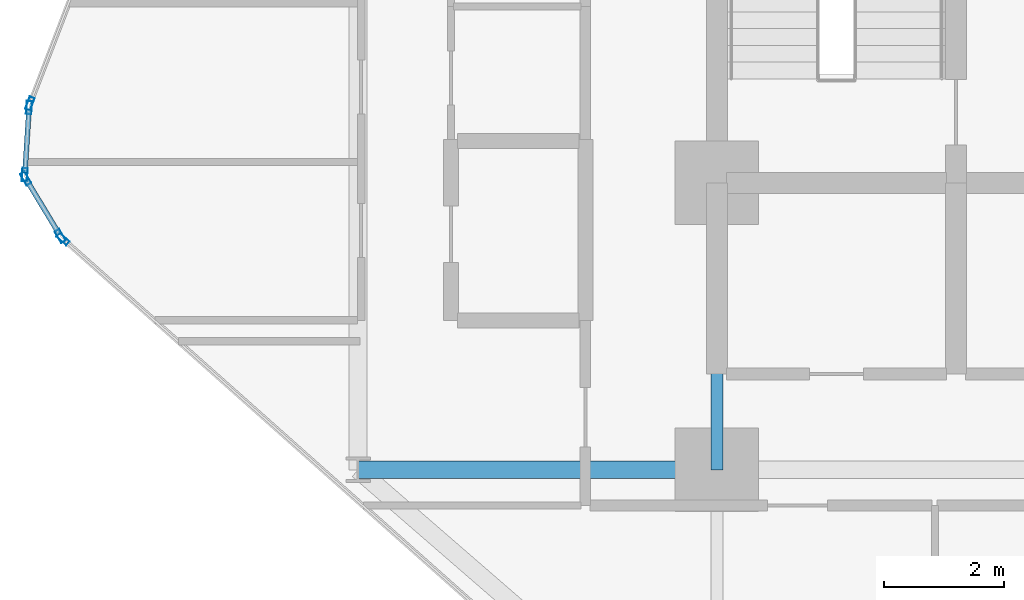
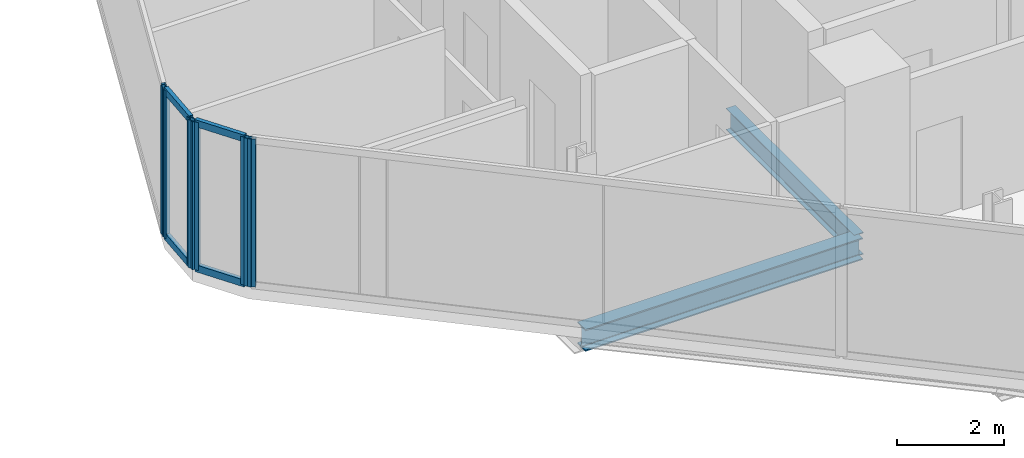
# One storey, part 5 of 33: 10 members, 2 beams, 4 elements without a shape of their own.
"""IFC4 building model written with IfcOpenShell, lengths in metres."""

import ifcopenshell
import ifcopenshell.guid

model = None  # the IFC model being written
_history = None  # IfcOwnerHistory: only IFC2X3 demands one
_inside = {}  # id of a spatial element -> (the spatial element, [elements in it])
_under = {}  # id of a project, library or spatial element -> (it, [spatial elements below it])
_declared = {}  # id of a project -> (the project, [libraries it declares])
_typed = {}  # id of a type object -> (the type object, [elements of that type])
_made_of = {}  # id of a material, layer set ... -> (it, [elements and type objects made of it])


def new_model(schema):
    """Start an empty IFC model of exactly this schema.

    Asked for "IFC4X3", IfcOpenShell would pick the latest addendum, in which some entities
    have other attributes; the version numbers below select the first issue.
    IFC2X3 requires an IfcOwnerHistory on every rooted entity: one is made here for all.
    """
    global model, _history
    if schema == "IFC4X3":
        model = ifcopenshell.file(schema_version=(4, 3, 0, 0))
    else:
        model = ifcopenshell.file(schema=schema)
    _inside.clear()
    _under.clear()
    _declared.clear()
    _typed.clear()
    _made_of.clear()
    _history = None
    if model.schema == "IFC2X3":
        org = make("IfcOrganization", Name="unknown")
        user = make(
            "IfcPersonAndOrganization",
            ThePerson=make("IfcPerson", FamilyName="unknown"),
            TheOrganization=org,
        )
        app = make(
            "IfcApplication",
            ApplicationDeveloper=org,
            Version="unknown",
            ApplicationFullName="unknown",
            ApplicationIdentifier="unknown",
        )
        _history = make(
            "IfcOwnerHistory",
            OwningUser=user,
            OwningApplication=app,
            ChangeAction="ADDED",
            CreationDate=0,
        )
    return model


def make(cls, **values):
    """One entity of the class cls with the attributes given. An attribute that is None is left unset."""
    return model.create_entity(
        cls, **{name: value for name, value in values.items() if value is not None}
    )


def rooted(cls, **values):
    """An entity with a GlobalId (a new one), such as an element, a storey or a relation."""
    return make(cls, GlobalId=ifcopenshell.guid.new(), OwnerHistory=_history, **values)


def si_unit(unit_type, name, prefix=None):
    """IfcSIUnit, for example si_unit("LENGTHUNIT", "METRE", prefix="MILLI")."""
    return make("IfcSIUnit", UnitType=unit_type, Prefix=prefix, Name=name)


def assignment(units):
    """IfcUnitAssignment: the units of a project."""
    return None if units is None else make("IfcUnitAssignment", Units=units)


def point(xyz):
    """IfcCartesianPoint."""
    return None if xyz is None else make("IfcCartesianPoint", Coordinates=xyz)


def direction(xyz):
    """IfcDirection."""
    return None if xyz is None else make("IfcDirection", DirectionRatios=xyz)


def frame(location, z_axis=None, x_axis=None):
    """IfcAxis2Placement3D, a coordinate frame: its origin and axes. An axis left out is left unset."""
    return make(
        "IfcAxis2Placement3D",
        Location=point(location),
        Axis=direction(z_axis),
        RefDirection=direction(x_axis),
    )


def frame_2d(location, x_axis=None):
    """IfcAxis2Placement2D, a coordinate frame in the plane: its origin and x axis."""
    return make(
        "IfcAxis2Placement2D", Location=point(location), RefDirection=direction(x_axis)
    )


def origin():
    """The frame at (0, 0, 0) with its axes left unset."""
    return frame((0.0, 0.0, 0.0))


def origin_2d():
    """The frame at (0, 0) in the plane with its x axis left unset."""
    return frame_2d((0.0, 0.0))


def place(relative_to, where):
    """IfcLocalPlacement: puts the frame where relative to a parent placement (None: the world)."""
    return make(
        "IfcLocalPlacement", PlacementRelTo=relative_to, RelativePlacement=where
    )


def context(
    kind, dimensions, precision=None, world=None, true_north=None, identifier=None
):
    """IfcGeometricRepresentationContext, for example the 3D "Model" context."""
    return make(
        "IfcGeometricRepresentationContext",
        ContextIdentifier=identifier,
        ContextType=kind,
        CoordinateSpaceDimension=dimensions,
        Precision=precision,
        WorldCoordinateSystem=world,
        TrueNorth=true_north,
    )


def subcontext(parent, identifier, kind, view, scale=None):
    """IfcGeometricRepresentationSubContext, for example "Body" below "Model"."""
    return make(
        "IfcGeometricRepresentationSubContext",
        ContextIdentifier=identifier,
        ContextType=kind,
        ParentContext=parent,
        TargetScale=scale,
        TargetView=view,
    )


def project(units=None, contexts=None):
    """IfcProject with its units and contexts."""
    return rooted(
        "IfcProject",
        Name="project",
        RepresentationContexts=contexts,
        UnitsInContext=assignment(units),
    )


def spatial(cls, under=None, at=None, **own):
    """A site, building, storey or space (cls), placed at a placement, below another one or the project."""
    s = rooted(cls, ObjectPlacement=at, **own)
    if under is not None:
        _under.setdefault(under.id(), (under, []))[1].append(s)
    return s


def profile(cls, at=None, kind="AREA", **sizes):
    """A parametric profile (cls). Its sizes go by their IFC names, for example OverallWidth=200.0."""
    return make(cls, ProfileType=kind, Position=at, **sizes)


def hollow_rectangle(**sizes):
    """IfcRectangleHollowProfileDef."""
    return profile("IfcRectangleHollowProfileDef", **sizes)


def i_section(**sizes):
    """IfcIShapeProfileDef."""
    return profile("IfcIShapeProfileDef", **sizes)


def extrude(swept, where, along, depth):
    """IfcExtrudedAreaSolid: the profile swept, set in the frame where, extruded along a direction by depth."""
    return make(
        "IfcExtrudedAreaSolid",
        SweptArea=swept,
        Position=where,
        ExtrudedDirection=direction(along),
        Depth=depth,
    )


def shape(context_of_items, identifier, shape_type, items):
    """IfcShapeRepresentation: the items that make up one representation, for example the "Body"."""
    return make(
        "IfcShapeRepresentation",
        ContextOfItems=context_of_items,
        RepresentationIdentifier=identifier,
        RepresentationType=shape_type,
        Items=items,
    )


def material(Name=None, Category=None):
    """IfcMaterial."""
    return make("IfcMaterial", Name=Name, Category=Category)


def layer(
    of_material, thickness, ventilated=None, Name=None, Category=None, Priority=None
):
    """IfcMaterialLayer: one layer of a wall or slab, of a material (None: an air gap)."""
    return make(
        "IfcMaterialLayer",
        Material=of_material,
        LayerThickness=thickness,
        IsVentilated=ventilated,
        Name=Name,
        Category=Category,
        Priority=Priority,
    )


def layer_set(layers, Name=None):
    """IfcMaterialLayerSet."""
    return make("IfcMaterialLayerSet", MaterialLayers=layers, LayerSetName=Name)


def material_profile(
    of_material, cross_section, Name=None, Category=None, Priority=None
):
    """IfcMaterialProfile: a cross section and its material."""
    return make(
        "IfcMaterialProfile",
        Name=Name,
        Material=of_material,
        Profile=cross_section,
        Priority=Priority,
        Category=Category,
    )


def profile_set(profiles, Name=None, composite=None):
    """IfcMaterialProfileSet."""
    return make(
        "IfcMaterialProfileSet",
        Name=Name,
        MaterialProfiles=profiles,
        CompositeProfile=composite,
    )


def made_of(thing, what):
    """Note that an element or type object is made of a material, layer set ...; save() writes the relation."""
    if what is not None:
        _made_of.setdefault(what.id(), (what, []))[1].append(thing)
    return thing


def type_object(cls, material=None, **own):
    """A type object (cls), such as IfcWallType, which elements share."""
    return made_of(rooted(cls, **own), material)


def element(
    cls,
    number,
    at=None,
    inside=None,
    cuts=None,
    type_object=None,
    material=None,
    context=None,
    identifier="Body",
    shape_type=None,
    held_by="IfcProductDefinitionShape",
    body=None,
    shapes=None,
    **own,
):
    """One element of the class cls, such as IfcWall. Its Tag is "e" and its number.

    at: its placement. inside: the storey or other place that contains it. cuts: it is an
    opening in that element (IfcRelVoidsElement). A single representation is given by context,
    identifier, shape_type and body (its items); several are given by shapes. held_by: the class
    of the entity that holds the representations. save() writes the other relations.
    """
    e = rooted(cls, Tag="e%d" % number, ObjectPlacement=at, **own)
    if body is not None:
        shapes = [shape(context, identifier, shape_type, body)]
    if shapes is not None:
        e.Representation = make(held_by, Representations=shapes)
    if inside is not None:
        _inside.setdefault(inside.id(), (inside, []))[1].append(e)
    if cuts is not None:
        rooted(
            "IfcRelVoidsElement", RelatingBuildingElement=cuts, RelatedOpeningElement=e
        )
    if type_object is not None:
        _typed.setdefault(type_object.id(), (type_object, []))[1].append(e)
    return made_of(e, material)


def aggregate(whole, parts):
    """IfcRelAggregates: a whole, such as a stair, and the parts it consists of."""
    return rooted("IfcRelAggregates", RelatingObject=whole, RelatedObjects=parts)


def save(model, path):
    """Write the relations noted so far, then the file.

    IfcRelAggregates (storeys below a building ...), IfcRelContainedInSpatialStructure (elements
    in a storey), IfcRelDefinesByType, IfcRelAssociatesMaterial and IfcRelDeclares: one each for
    every whole, place, type object, material and project.
    """
    for whole, parts in _under.values():
        aggregate(whole, parts)
    for where, things in _inside.values():
        rooted(
            "IfcRelContainedInSpatialStructure",
            RelatedElements=things,
            RelatingStructure=where,
        )
    for kind, things in _typed.values():
        rooted("IfcRelDefinesByType", RelatedObjects=things, RelatingType=kind)
    for what, things in _made_of.values():
        rooted("IfcRelAssociatesMaterial", RelatedObjects=things, RelatingMaterial=what)
    for by, libraries in _declared.values():
        rooted("IfcRelDeclares", RelatingContext=by, RelatedDefinitions=libraries)
    model.write(path)


model = new_model("IFC4")

# Units and contexts
model_context = context("Model", 3, precision=1e-05, world=origin(), true_north=direction((0.0, 1.0)))
body_context = subcontext(model_context, "Body", "Model", "MODEL_VIEW")
ifc_project = project(units=[si_unit("LENGTHUNIT", "METRE"), si_unit("AREAUNIT", "SQUARE_METRE"), si_unit("VOLUMEUNIT", "CUBIC_METRE"), si_unit("PLANEANGLEUNIT", "RADIAN"), si_unit("MASSUNIT", "GRAM", prefix="KILO")], contexts=[model_context])

# Site, building, storey
site_placement = place(None, origin())
site = spatial("IfcSite", under=ifc_project, at=site_placement, CompositionType="ELEMENT")
building_placement = place(site_placement, origin())
building = spatial("IfcBuilding", under=site, at=building_placement, Name="Keshet Zoharim Tower", CompositionType="ELEMENT")
storey_placement = place(building_placement, frame((0.0, 0.0, 27.699951171875)))
storey = spatial("IfcBuildingStorey", under=building, at=storey_placement, Name="L05", CompositionType="ELEMENT", Elevation=27.699951171875)

# Beams
ifc_material_1 = material(Name="Steel S355", Category="steel")
ifc_material_profile_1 = material_profile(ifc_material_1, i_section(OverallWidth=0.199951171875, OverallDepth=0.5, WebThickness=0.01025390625, FlangeThickness=0.01611328125, FilletRadius=0.02099609375, at=origin_2d()), Name="IPE500")
ifc_profile_set_1 = profile_set([ifc_material_profile_1], Name="Steel S355")
beam_type_1 = type_object("IfcBeamType", Name="BM-PRI-IP500", PredefinedType="BEAM", material=ifc_profile_set_1)
beam_1_placement = place(storey_placement, frame((15.0, 17.89990234375, -0.56494140625), z_axis=(0.0, 1.0, 0.0), x_axis=(-1.0, 0.0, 0.0)))
element("IfcBeam", 1, at=beam_1_placement, inside=storey, type_object=beam_type_1, Name="L05 Primary Girder Y-003", PredefinedType="BEAM", context=body_context, shape_type="SweptSolid", body=[
    extrude(i_section(OverallWidth=0.199951171875, OverallDepth=0.5, WebThickness=0.01025390625, FlangeThickness=0.01611328125, FilletRadius=0.02099609375, at=origin_2d()), origin(), (0.0, 0.0, 1.0), 4.800048828125),
])
ifc_material_profile_2 = material_profile(ifc_material_1, i_section(OverallWidth=0.300048828125, OverallDepth=0.5, WebThickness=0.014404296875, FlangeThickness=0.028076171875, FilletRadius=0.027099609375, at=origin_2d()), Name="HEB500")
ifc_profile_set_2 = profile_set([ifc_material_profile_2], Name="Steel S355")
beam_type_2 = type_object("IfcBeamType", Name="BM-WEB-HB500", PredefinedType="BEAM", material=ifc_profile_set_2)
beam_2_placement = place(storey_placement, frame((9.0, 17.89990234375, -0.56494140625), z_axis=(1.0, 0.0, 0.0), x_axis=(0.0, 1.0, 0.0)))
element("IfcBeam", 2, at=beam_2_placement, inside=storey, type_object=beam_type_2, Name="L05 Primary Girder X-015", PredefinedType="BEAM", context=body_context, shape_type="SweptSolid", body=[
    extrude(i_section(OverallWidth=0.300048828125, OverallDepth=0.5, WebThickness=0.014404296875, FlangeThickness=0.028076171875, FilletRadius=0.027099609375, at=origin_2d()), origin(), (0.0, 0.0, 1.0), 6.0),
])

# Curtain wall, member
ifc_material_2 = material(Name="Aluminium 6063-T6", Category="aluminium")
ifc_layer = layer(ifc_material_2, 0.179931640625)
ifc_layer_set = layer_set([ifc_layer], Name="Aluminium 6063-T6")
curtain_wall_type = type_object("IfcCurtainWallType", Name="CW-SYS-01", PredefinedType="NOTDEFINED", material=ifc_layer_set)
curtain_wall_1_placement = place(storey_placement, origin())
curtain_wall_1 = element("IfcCurtainWall", 3, at=curtain_wall_1_placement, inside=storey, type_object=curtain_wall_type, Name="L05 Unitised Curtain Wall 01", PredefinedType="NOTDEFINED")
ifc_material_profile_3 = material_profile(ifc_material_2, hollow_rectangle(XDim=0.090087890625, YDim=0.219970703125, WallThickness=0.0048828125, at=origin_2d()), Name="MUL-90x220")
ifc_profile_set_3 = profile_set([ifc_material_profile_3], Name="Aluminium 6063-T6")
member_type_1 = type_object("IfcMemberType", Name="CWM-M22", PredefinedType="MULLION", material=ifc_profile_set_3)
member_1_placement = place(storey_placement, frame((4.061279296875, 21.7568359375, 0.0), z_axis=(0.0, 0.0, 1.0), x_axis=(-0.664363838836, -0.747409318679, 0.0)))
member_1 = element("IfcMember", 4, at=member_1_placement, type_object=member_type_1, Name="CW-01 mullion 3", PredefinedType="MULLION", context=body_context, shape_type="SweptSolid", body=[
    extrude(hollow_rectangle(XDim=0.090087890625, YDim=0.219970703125, WallThickness=0.0048828125, at=origin_2d()), origin(), (0.0, 0.0, 1.0), 3.385009765625),
])
aggregate(curtain_wall_1, [member_1])

# Curtain wall, members
curtain_wall_2_placement = place(storey_placement, origin())
curtain_wall_2 = element("IfcCurtainWall", 5, at=curtain_wall_2_placement, inside=storey, type_object=curtain_wall_type, Name="L05 Unitised Curtain Wall 02", PredefinedType="NOTDEFINED")
member_2_placement = place(storey_placement, frame((4.016845703125, 21.81005859375, 0.0), z_axis=(0.0, 0.0, 1.0), x_axis=(-0.856826433805, -0.515604947933, 0.0)))
member_2 = element("IfcMember", 6, at=member_2_placement, type_object=member_type_1, Name="CW-01 mullion 1", PredefinedType="MULLION", context=body_context, shape_type="SweptSolid", body=[
    extrude(hollow_rectangle(XDim=0.090087890625, YDim=0.219970703125, WallThickness=0.0048828125, at=origin_2d()), origin(), (0.0, 0.0, 1.0), 3.385009765625),
])
member_3_placement = place(storey_placement, frame((3.43798828125, 22.77197265625, 0.0), z_axis=(0.0, 0.0, 1.0), x_axis=(-0.856826433805, -0.515604947933, 0.0)))
member_3 = element("IfcMember", 7, at=member_3_placement, type_object=member_type_1, Name="CW-01 mullion 2", PredefinedType="MULLION", context=body_context, shape_type="SweptSolid", body=[
    extrude(hollow_rectangle(XDim=0.090087890625, YDim=0.219970703125, WallThickness=0.0048828125, at=origin_2d()), origin(), (0.0, 0.0, 1.0), 3.385009765625),
])

curtain_wall_3_placement = place(storey_placement, origin())
curtain_wall_3 = element("IfcCurtainWall", 8, at=curtain_wall_3_placement, inside=storey, type_object=curtain_wall_type, Name="L05 Unitised Curtain Wall 03", PredefinedType="NOTDEFINED")
member_4_placement = place(storey_placement, frame((3.42236328125, 22.8369140625, 0.0), z_axis=(0.0, 0.0, 1.0), x_axis=(-0.997916617186, 0.064516859374, 0.0)))
member_4 = element("IfcMember", 9, at=member_4_placement, type_object=member_type_1, Name="CW-01 mullion 1", PredefinedType="MULLION", context=body_context, shape_type="SweptSolid", body=[
    extrude(hollow_rectangle(XDim=0.090087890625, YDim=0.219970703125, WallThickness=0.0048828125, at=origin_2d()), origin(), (0.0, 0.0, 1.0), 3.385009765625),
])
member_5_placement = place(storey_placement, frame((3.49462890625, 23.9580078125, 0.0), z_axis=(0.0, 0.0, 1.0), x_axis=(-0.997916617186, 0.064516859374, 0.0)))
member_5 = element("IfcMember", 10, at=member_5_placement, type_object=member_type_1, Name="CW-01 mullion 2", PredefinedType="MULLION", context=body_context, shape_type="SweptSolid", body=[
    extrude(hollow_rectangle(XDim=0.090087890625, YDim=0.219970703125, WallThickness=0.0048828125, at=origin_2d()), origin(), (0.0, 0.0, 1.0), 3.385009765625),
])

# Curtain wall, member
curtain_wall_4_placement = place(storey_placement, origin())
curtain_wall_4 = element("IfcCurtainWall", 11, at=curtain_wall_4_placement, inside=storey, type_object=curtain_wall_type, Name="L05 Unitised Curtain Wall 04", PredefinedType="NOTDEFINED")
member_6_placement = place(storey_placement, frame((3.509521484375, 24.025634765625, 0.0), z_axis=(0.0, 0.0, 1.0), x_axis=(-0.933341404361, 0.358990003907, 0.0)))
member_6 = element("IfcMember", 12, at=member_6_placement, type_object=member_type_1, Name="CW-01 mullion 1", PredefinedType="MULLION", context=body_context, shape_type="SweptSolid", body=[
    extrude(hollow_rectangle(XDim=0.090087890625, YDim=0.219970703125, WallThickness=0.0048828125, at=origin_2d()), origin(), (0.0, 0.0, 1.0), 3.385009765625),
])
aggregate(curtain_wall_4, [member_6])

# Member
ifc_material_profile_4 = material_profile(ifc_material_2, hollow_rectangle(XDim=0.0849609375, YDim=0.159912109375, WallThickness=0.00439453125, at=origin_2d()), Name="TRN-85x160")
ifc_profile_set_4 = profile_set([ifc_material_profile_4], Name="Aluminium 6063-T6")
member_type_2 = type_object("IfcMemberType", Name="CWT-T16", PredefinedType="USERDEFINED", material=ifc_profile_set_4)
member_7_placement = place(storey_placement, frame((3.9990234375, 21.840087890625, 0.03515625), z_axis=(-0.515791194107, 0.856714330499, 0.0), x_axis=(-0.856714330499, -0.515791194107, 0.0)))
member_7 = element("IfcMember", 13, at=member_7_placement, type_object=member_type_2, Name="CW-01 transom 1.1", ObjectType="TRANSOM", PredefinedType="USERDEFINED", context=body_context, shape_type="SweptSolid", body=[
    extrude(hollow_rectangle(XDim=0.0849609375, YDim=0.159912109375, WallThickness=0.00439453125, at=origin_2d()), origin(), (0.0, 0.0, 1.0), 1.052734375),
])

member_8_placement = place(storey_placement, frame((3.9990234375, 21.840087890625, 3.35009765625), z_axis=(-0.515791194107, 0.856714330499, 0.0), x_axis=(-0.856714330499, -0.515791194107, 0.0)))
member_8 = element("IfcMember", 14, at=member_8_placement, type_object=member_type_2, Name="CW-01 transom 1.2", ObjectType="TRANSOM", PredefinedType="USERDEFINED", context=body_context, shape_type="SweptSolid", body=[
    extrude(hollow_rectangle(XDim=0.0849609375, YDim=0.159912109375, WallThickness=0.00439453125, at=origin_2d()), origin(), (0.0, 0.0, 1.0), 1.052734375),
])

aggregate(curtain_wall_2, [member_2, member_3, member_7, member_8])

member_9_placement = place(storey_placement, frame((3.424560546875, 22.871826171875, 0.03515625), z_axis=(0.064426947155, 0.997922426083, 0.0), x_axis=(-0.997922426083, 0.064426947155, 0.0)))
member_9 = element("IfcMember", 15, at=member_9_placement, type_object=member_type_2, Name="CW-01 transom 1.1", ObjectType="TRANSOM", PredefinedType="USERDEFINED", context=body_context, shape_type="SweptSolid", body=[
    extrude(hollow_rectangle(XDim=0.0849609375, YDim=0.159912109375, WallThickness=0.00439453125, at=origin_2d()), origin(), (0.0, 0.0, 1.0), 1.053466796875),
])

member_10_placement = place(storey_placement, frame((3.424560546875, 22.871826171875, 3.35009765625), z_axis=(0.064426947155, 0.997922426083, 0.0), x_axis=(-0.997922426083, 0.064426947155, 0.0)))
member_10 = element("IfcMember", 16, at=member_10_placement, type_object=member_type_2, Name="CW-01 transom 1.2", ObjectType="TRANSOM", PredefinedType="USERDEFINED", context=body_context, shape_type="SweptSolid", body=[
    extrude(hollow_rectangle(XDim=0.0849609375, YDim=0.159912109375, WallThickness=0.00439453125, at=origin_2d()), origin(), (0.0, 0.0, 1.0), 1.053466796875),
])

aggregate(curtain_wall_3, [member_4, member_5, member_9, member_10])

save(model, "model.ifc")
